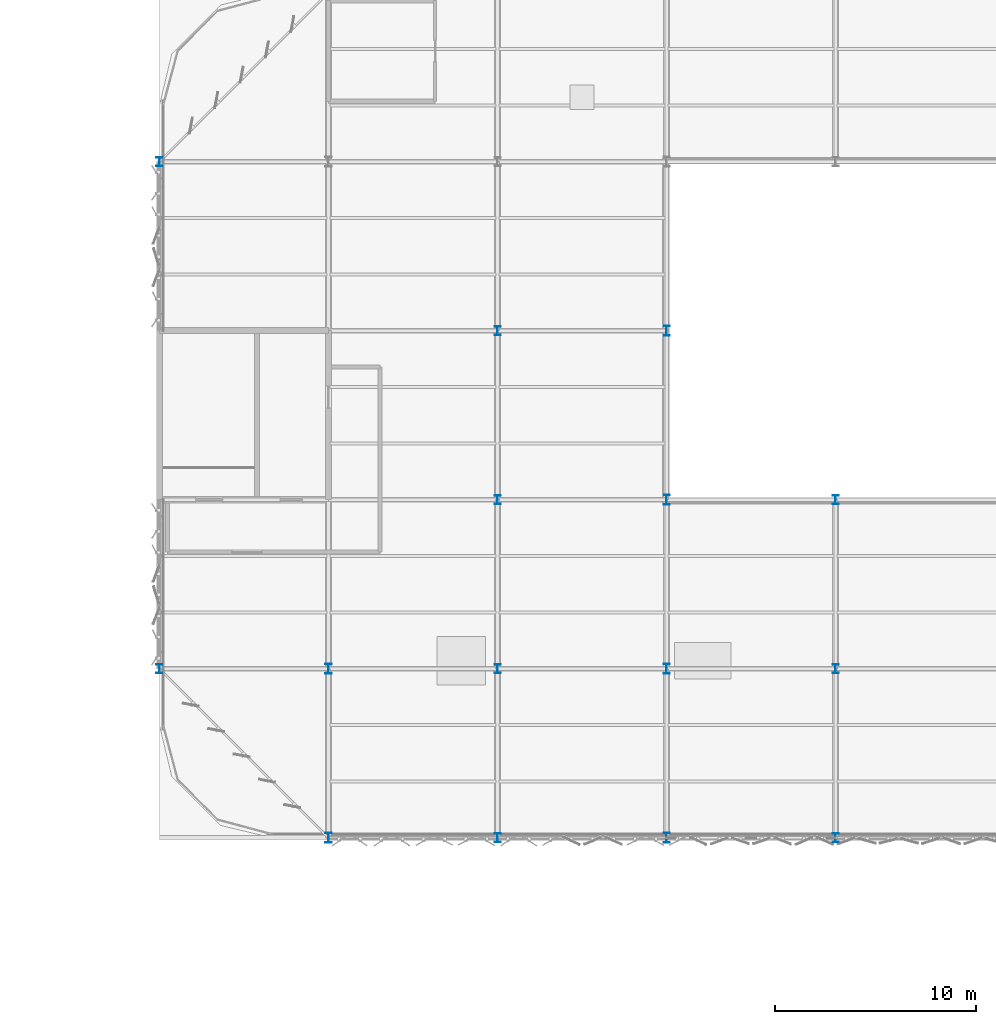
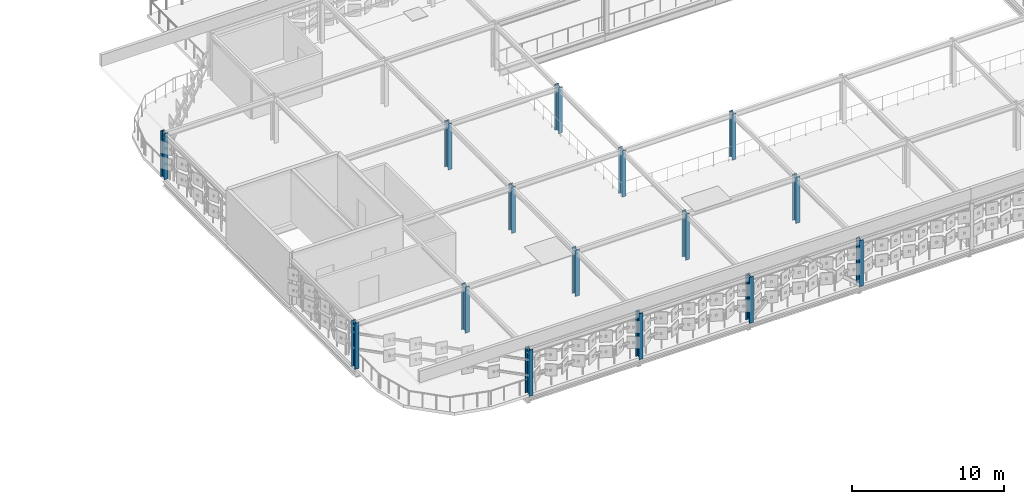
# One storey, part 4 of 65: 15 columns.
"""IFC4 building model written with IfcOpenShell, lengths in metres."""

from ifc_helpers import new_model, si_unit, direction, frame, origin, origin_2d, place, context, subcontext, project, spatial, i_section, extrude, material, material_profile, profile_set, type_object, element, save


model = new_model("IFC4")

# Units and contexts
model_context = context("Model", 3, precision=1e-05, world=origin(), true_north=direction((0.0, 1.0)))
body_context = subcontext(model_context, "Body", "Model", "MODEL_VIEW")
ifc_project = project(units=[si_unit("LENGTHUNIT", "METRE"), si_unit("AREAUNIT", "SQUARE_METRE"), si_unit("VOLUMEUNIT", "CUBIC_METRE"), si_unit("PLANEANGLEUNIT", "RADIAN"), si_unit("MASSUNIT", "GRAM", prefix="KILO")], contexts=[model_context])

# Site, building, storey
site_placement = place(None, origin())
site = spatial("IfcSite", under=ifc_project, at=site_placement, CompositionType="ELEMENT")
building_placement = place(site_placement, origin())
building = spatial("IfcBuilding", under=site, at=building_placement, Name="Qalvenar Corner Mobility Hub", CompositionType="ELEMENT")
storey_placement = place(building_placement, frame((0.0, 0.0, 17.39990234375)))
storey = spatial("IfcBuildingStorey", under=building, at=storey_placement, Name="L04", CompositionType="ELEMENT", Elevation=17.39990234375)

# Columns
ifc_material = material(Name="Steel S355", Category="steel")
ifc_material_profile_1 = material_profile(ifc_material, i_section(OverallWidth=0.300048828125, OverallDepth=0.449951171875, WebThickness=0.013916015625, FlangeThickness=0.02587890625, FilletRadius=0.027099609375, at=origin_2d()), Name="HEB450")
ifc_profile_set_1 = profile_set([ifc_material_profile_1], Name="Steel S355")
column_type_1 = type_object("IfcColumnType", Name="COL-HEB450", PredefinedType="COLUMN", material=ifc_profile_set_1)
for number, where, z_axis, x_axis, name in (
    (1, (58.800048828125, 75.60009765625, 0.0), (0.0, 0.0, 1.0), (1.0, 0.0, 0.0), "Steel Column L04-G8-9"),
    (2, (58.800048828125, 100.800048828125, 0.0), (0.0, 0.0, 1.0), (1.0, 0.0, 0.0), "Steel Column L04-G8-12"),
    (3, (75.60009765625, 67.199951171875, 0.0), (0.0, 0.0, 1.0), (1.0, 0.0, 0.0), "Steel Column L04-G10-8"),
    (4, (75.60009765625, 75.60009765625, 0.0), (0.0, 0.0, 1.0), (1.0, 0.0, 0.0), "Steel Column L04-G10-9"),
    (5, (75.60009765625, 84.0, 0.0), (0.0, 0.0, 1.0), (1.0, 0.0, 0.0), "Steel Column L04-G10-10"),
    (6, (75.60009765625, 92.39990234375, 0.0), (0.0, 0.0, 1.0), (1.0, 0.0, 0.0), "Steel Column L04-G10-11"),
    (7, (92.39990234375, 67.199951171875, 0.0), (0.0, 0.0, 1.0), (1.0, 0.0, 0.0), "Steel Column L04-G12-8"),
    (8, (92.39990234375, 75.60009765625, 0.0), (0.0, 0.0, 1.0), (1.0, 0.0, 0.0), "Steel Column L04-G12-9"),
    (9, (92.39990234375, 84.0, 0.0), (0.0, 0.0, 1.0), (1.0, 0.0, 0.0), "Steel Column L04-G12-10"),
):
    element("IfcColumn", number, at=place(storey_placement, frame(where, z_axis=z_axis, x_axis=x_axis)), inside=storey, type_object=column_type_1, Name=name, PredefinedType="COLUMN", context=body_context, shape_type="SweptSolid", body=[
        extrude(i_section(OverallWidth=0.300048828125, OverallDepth=0.449951171875, WebThickness=0.013916015625, FlangeThickness=0.02587890625, FilletRadius=0.027099609375, at=origin_2d()), origin(), (0.0, 0.0, 1.0), 3.710205078125),
    ])
ifc_material_profile_2 = material_profile(ifc_material, i_section(OverallWidth=0.300048828125, OverallDepth=0.5, WebThickness=0.014404296875, FlangeThickness=0.028076171875, FilletRadius=0.027099609375, at=origin_2d()), Name="HEB500")
ifc_profile_set_2 = profile_set([ifc_material_profile_2], Name="Steel S355")
column_type_2 = type_object("IfcColumnType", Name="COL-HEB500", PredefinedType="COLUMN", material=ifc_profile_set_2)
for number, where, z_axis, x_axis, name in (
    (10, (67.199951171875, 67.199951171875, 0.0), (0.0, 0.0, 1.0), (1.0, 0.0, 0.0), "Steel Column L04-G9-8"),
    (11, (67.199951171875, 75.60009765625, 0.0), (0.0, 0.0, 1.0), (1.0, 0.0, 0.0), "Steel Column L04-G9-9"),
    (12, (84.0, 67.199951171875, 0.0), (0.0, 0.0, 1.0), (1.0, 0.0, 0.0), "Steel Column L04-G11-8"),
    (13, (84.0, 75.60009765625, 0.0), (0.0, 0.0, 1.0), (1.0, 0.0, 0.0), "Steel Column L04-G11-9"),
    (14, (84.0, 84.0, 0.0), (0.0, 0.0, 1.0), (1.0, 0.0, 0.0), "Steel Column L04-G11-10"),
    (15, (84.0, 92.39990234375, 0.0), (0.0, 0.0, 1.0), (1.0, 0.0, 0.0), "Steel Column L04-G11-11"),
):
    element("IfcColumn", number, at=place(storey_placement, frame(where, z_axis=z_axis, x_axis=x_axis)), inside=storey, type_object=column_type_2, Name=name, PredefinedType="COLUMN", context=body_context, shape_type="SweptSolid", body=[
        extrude(i_section(OverallWidth=0.300048828125, OverallDepth=0.5, WebThickness=0.014404296875, FlangeThickness=0.028076171875, FilletRadius=0.027099609375, at=origin_2d()), origin(), (0.0, 0.0, 1.0), 3.710205078125),
    ])

save(model, "model.ifc")
